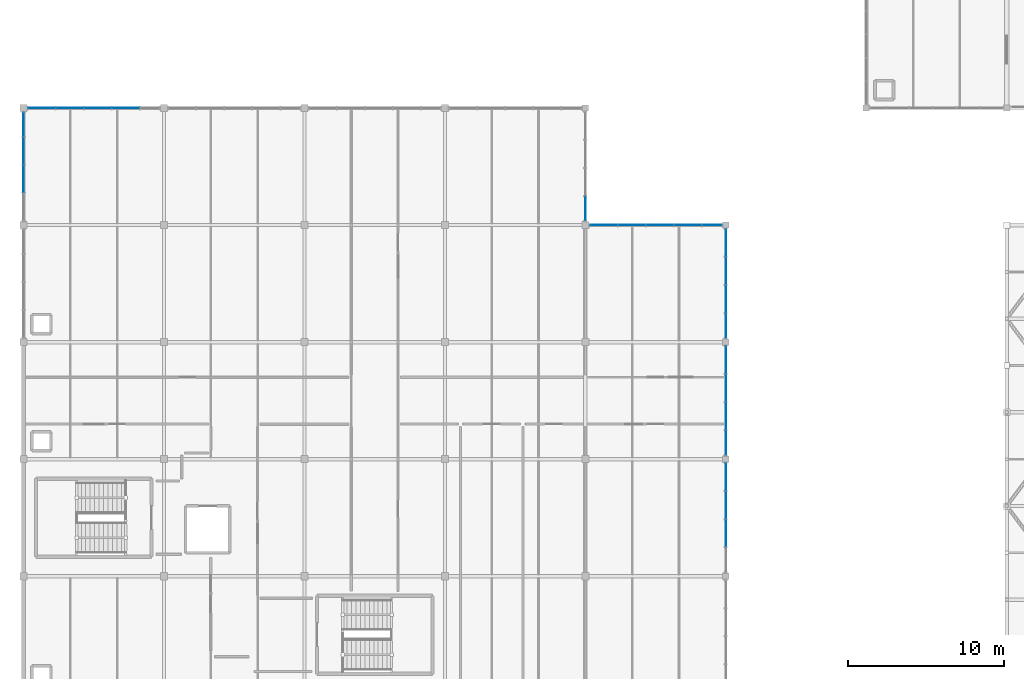
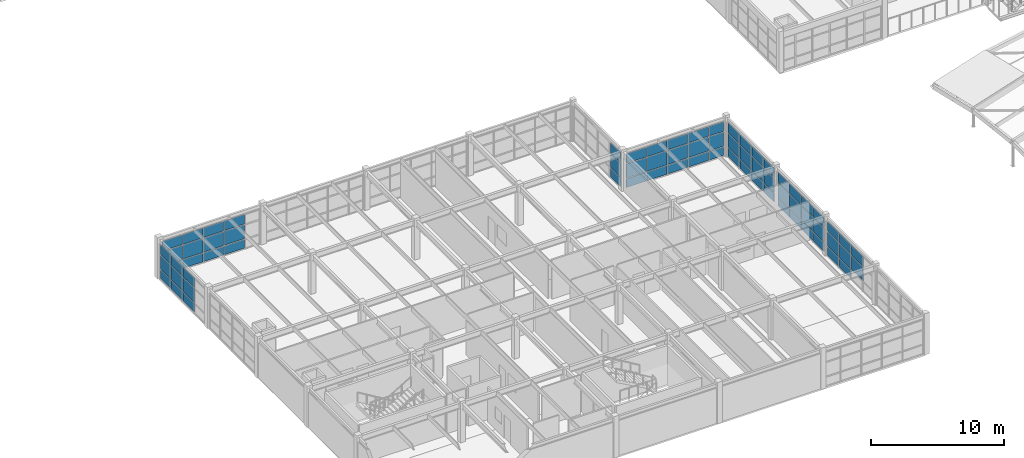
# One storey, part 51 of 81: 71 plates, 7 elements without a shape of their own.
"""IFC4 building model written with IfcOpenShell, lengths in metres."""

from ifc_helpers import new_model, si_unit, direction, frame, origin, origin_2d, place, context, subcontext, project, spatial, rectangle, extrude, material, layer, layer_set, type_object, element, aggregate, save


model = new_model("IFC4")

# Units and contexts
model_context = context("Model", 3, precision=1e-05, world=origin(), true_north=direction((0.0, 1.0)))
body_context = subcontext(model_context, "Body", "Model", "MODEL_VIEW")
ifc_project = project(units=[si_unit("LENGTHUNIT", "METRE"), si_unit("AREAUNIT", "SQUARE_METRE"), si_unit("VOLUMEUNIT", "CUBIC_METRE"), si_unit("PLANEANGLEUNIT", "RADIAN"), si_unit("MASSUNIT", "GRAM", prefix="KILO")], contexts=[model_context])

# Site, building, storey
site_placement = place(None, origin())
site = spatial("IfcSite", under=ifc_project, at=site_placement, CompositionType="ELEMENT")
building_placement = place(site_placement, origin())
building = spatial("IfcBuilding", under=site, at=building_placement, Name="Marnridge Secondary College", CompositionType="ELEMENT")
storey_placement = place(building_placement, frame((0.0, 0.0, 8.5)))
storey = spatial("IfcBuildingStorey", under=building, at=storey_placement, Name="L02", CompositionType="ELEMENT", Elevation=8.5)

# Curtain wall, plates
ifc_material_1 = material(Name="Bronze-anodised aluminium and solar-control glazing", Category="aluminium")
ifc_layer_1 = layer(ifc_material_1, 0.199951171875)
ifc_layer_set_1 = layer_set([ifc_layer_1], Name="CW-MOD-1800")
curtain_wall_type = type_object("IfcCurtainWallType", Name="CW-MOD-1800", PredefinedType="NOTDEFINED", material=ifc_layer_set_1)
curtain_wall_1_placement = place(storey_placement, origin())
curtain_wall_1 = element("IfcCurtainWall", 1, at=curtain_wall_1_placement, inside=storey, type_object=curtain_wall_type, Name="Unitised curtain wall CW-L02-100", PredefinedType="NOTDEFINED")
ifc_material_2 = material(Name="Acoustic laminated solar-control double glazing", Category="glass")
ifc_layer_2 = layer(ifc_material_2, 0.035888671875)
ifc_layer_set_2 = layer_set([ifc_layer_2], Name="CWP-GLZ36")
plate_type = type_object("IfcPlateType", Name="CWP-GLZ36", PredefinedType="CURTAIN_PANEL", material=ifc_layer_set_2)
plate_1_placement = place(storey_placement, frame((1.1640625, 37.5, 0.06494140625), z_axis=(0.0, 0.0, 1.0), x_axis=(1.0, 0.0, 0.0)))
plate_1 = element("IfcPlate", 2, at=plate_1_placement, type_object=plate_type, Name="CW-L02-100 panel 1.1", PredefinedType="CURTAIN_PANEL", context=body_context, shape_type="SweptSolid", body=[
    extrude(rectangle(XDim=1.72998046875, YDim=0.035888671875, at=origin_2d()), origin(), (0.0, 0.0, 1.0), 0.802490234375),
])
plate_2_placement = place(storey_placement, frame((1.1640625, 37.5, 0.9326171875), z_axis=(0.0, 0.0, 1.0), x_axis=(1.0, 0.0, 0.0)))
plate_2 = element("IfcPlate", 3, at=plate_2_placement, type_object=plate_type, Name="CW-L02-100 panel 1.2", PredefinedType="CURTAIN_PANEL", context=body_context, shape_type="SweptSolid", body=[
    extrude(rectangle(XDim=1.72998046875, YDim=0.035888671875, at=origin_2d()), origin(), (0.0, 0.0, 1.0), 1.284912109375),
])
plate_3_placement = place(storey_placement, frame((1.1640625, 37.5, 2.2822265625), z_axis=(0.0, 0.0, 1.0), x_axis=(1.0, 0.0, 0.0)))
plate_3 = element("IfcPlate", 4, at=plate_3_placement, type_object=plate_type, Name="CW-L02-100 panel 1.3", PredefinedType="CURTAIN_PANEL", context=body_context, shape_type="SweptSolid", body=[
    extrude(rectangle(XDim=1.72998046875, YDim=0.035888671875, at=origin_2d()), origin(), (0.0, 0.0, 1.0), 0.882568359375),
])
plate_4_placement = place(storey_placement, frame((2.964111328125, 37.5, 0.06494140625), z_axis=(0.0, 0.0, 1.0), x_axis=(1.0, 0.0, 0.0)))
plate_4 = element("IfcPlate", 5, at=plate_4_placement, type_object=plate_type, Name="CW-L02-100 panel 2.1", PredefinedType="CURTAIN_PANEL", context=body_context, shape_type="SweptSolid", body=[
    extrude(rectangle(XDim=1.72998046875, YDim=0.035888671875, at=origin_2d()), origin(), (0.0, 0.0, 1.0), 0.802490234375),
])
plate_5_placement = place(storey_placement, frame((2.964111328125, 37.5, 0.9326171875), z_axis=(0.0, 0.0, 1.0), x_axis=(1.0, 0.0, 0.0)))
plate_5 = element("IfcPlate", 6, at=plate_5_placement, type_object=plate_type, Name="CW-L02-100 panel 2.2", PredefinedType="CURTAIN_PANEL", context=body_context, shape_type="SweptSolid", body=[
    extrude(rectangle(XDim=1.72998046875, YDim=0.035888671875, at=origin_2d()), origin(), (0.0, 0.0, 1.0), 1.284912109375),
])
plate_6_placement = place(storey_placement, frame((2.964111328125, 37.5, 2.2822265625), z_axis=(0.0, 0.0, 1.0), x_axis=(1.0, 0.0, 0.0)))
plate_6 = element("IfcPlate", 7, at=plate_6_placement, type_object=plate_type, Name="CW-L02-100 panel 2.3", PredefinedType="CURTAIN_PANEL", context=body_context, shape_type="SweptSolid", body=[
    extrude(rectangle(XDim=1.72998046875, YDim=0.035888671875, at=origin_2d()), origin(), (0.0, 0.0, 1.0), 0.882568359375),
])
plate_7_placement = place(storey_placement, frame((4.763916015625, 37.5, 0.06494140625), z_axis=(0.0, 0.0, 1.0), x_axis=(1.0, 0.0, 0.0)))
plate_7 = element("IfcPlate", 8, at=plate_7_placement, type_object=plate_type, Name="CW-L02-100 panel 3.1", PredefinedType="CURTAIN_PANEL", context=body_context, shape_type="SweptSolid", body=[
    extrude(rectangle(XDim=1.72998046875, YDim=0.035888671875, at=origin_2d()), origin(), (0.0, 0.0, 1.0), 0.802490234375),
])
plate_8_placement = place(storey_placement, frame((4.763916015625, 37.5, 0.9326171875), z_axis=(0.0, 0.0, 1.0), x_axis=(1.0, 0.0, 0.0)))
plate_8 = element("IfcPlate", 9, at=plate_8_placement, type_object=plate_type, Name="CW-L02-100 panel 3.2", PredefinedType="CURTAIN_PANEL", context=body_context, shape_type="SweptSolid", body=[
    extrude(rectangle(XDim=1.72998046875, YDim=0.035888671875, at=origin_2d()), origin(), (0.0, 0.0, 1.0), 1.284912109375),
])
plate_9_placement = place(storey_placement, frame((4.763916015625, 37.5, 2.2822265625), z_axis=(0.0, 0.0, 1.0), x_axis=(1.0, 0.0, 0.0)))
plate_9 = element("IfcPlate", 10, at=plate_9_placement, type_object=plate_type, Name="CW-L02-100 panel 3.3", PredefinedType="CURTAIN_PANEL", context=body_context, shape_type="SweptSolid", body=[
    extrude(rectangle(XDim=1.72998046875, YDim=0.035888671875, at=origin_2d()), origin(), (0.0, 0.0, 1.0), 0.882568359375),
])
plate_10_placement = place(storey_placement, frame((6.56396484375, 37.5, 0.06494140625), z_axis=(0.0, 0.0, 1.0), x_axis=(1.0, 0.0, 0.0)))
plate_10 = element("IfcPlate", 11, at=plate_10_placement, type_object=plate_type, Name="CW-L02-100 panel 4.1", PredefinedType="CURTAIN_PANEL", context=body_context, shape_type="SweptSolid", body=[
    extrude(rectangle(XDim=1.72998046875, YDim=0.035888671875, at=origin_2d()), origin(), (0.0, 0.0, 1.0), 0.802490234375),
])
plate_11_placement = place(storey_placement, frame((6.56396484375, 37.5, 0.9326171875), z_axis=(0.0, 0.0, 1.0), x_axis=(1.0, 0.0, 0.0)))
plate_11 = element("IfcPlate", 12, at=plate_11_placement, type_object=plate_type, Name="CW-L02-100 panel 4.2", PredefinedType="CURTAIN_PANEL", context=body_context, shape_type="SweptSolid", body=[
    extrude(rectangle(XDim=1.72998046875, YDim=0.035888671875, at=origin_2d()), origin(), (0.0, 0.0, 1.0), 1.284912109375),
])
plate_12_placement = place(storey_placement, frame((6.56396484375, 37.5, 2.2822265625), z_axis=(0.0, 0.0, 1.0), x_axis=(1.0, 0.0, 0.0)))
plate_12 = element("IfcPlate", 13, at=plate_12_placement, type_object=plate_type, Name="CW-L02-100 panel 4.3", PredefinedType="CURTAIN_PANEL", context=body_context, shape_type="SweptSolid", body=[
    extrude(rectangle(XDim=1.72998046875, YDim=0.035888671875, at=origin_2d()), origin(), (0.0, 0.0, 1.0), 0.882568359375),
])
aggregate(curtain_wall_1, [plate_1, plate_2, plate_3, plate_4, plate_5, plate_6, plate_7, plate_8, plate_9, plate_10, plate_11, plate_12])

curtain_wall_2_placement = place(storey_placement, origin())
curtain_wall_2 = element("IfcCurtainWall", 14, at=curtain_wall_2_placement, inside=storey, type_object=curtain_wall_type, Name="Unitised curtain wall CW-L02-104", PredefinedType="NOTDEFINED")
plate_13_placement = place(storey_placement, frame((36.0, 31.0625, 0.06494140625), z_axis=(0.0, 0.0, 1.0), x_axis=(0.0, -1.0, 0.0)))
plate_13 = element("IfcPlate", 15, at=plate_13_placement, type_object=plate_type, Name="CW-L02-104 panel 4.1", PredefinedType="CURTAIN_PANEL", context=body_context, shape_type="SweptSolid", body=[
    extrude(rectangle(XDim=1.527099609375, YDim=0.035888671875, at=origin_2d()), origin(), (0.0, 0.0, 1.0), 0.802490234375),
])
plate_14_placement = place(storey_placement, frame((36.0, 31.0625, 0.9326171875), z_axis=(0.0, 0.0, 1.0), x_axis=(0.0, -1.0, 0.0)))
plate_14 = element("IfcPlate", 16, at=plate_14_placement, type_object=plate_type, Name="CW-L02-104 panel 4.2", PredefinedType="CURTAIN_PANEL", context=body_context, shape_type="SweptSolid", body=[
    extrude(rectangle(XDim=1.527099609375, YDim=0.035888671875, at=origin_2d()), origin(), (0.0, 0.0, 1.0), 1.284912109375),
])
plate_15_placement = place(storey_placement, frame((36.0, 31.0625, 2.282470703125), z_axis=(0.0, 0.0, 1.0), x_axis=(0.0, -1.0, 0.0)))
plate_15 = element("IfcPlate", 17, at=plate_15_placement, type_object=plate_type, Name="CW-L02-104 panel 4.3", PredefinedType="CURTAIN_PANEL", context=body_context, shape_type="SweptSolid", body=[
    extrude(rectangle(XDim=1.527099609375, YDim=0.035888671875, at=origin_2d()), origin(), (0.0, 0.0, 1.0), 0.9326171875),
])
aggregate(curtain_wall_2, [plate_13, plate_14, plate_15])

curtain_wall_3_placement = place(storey_placement, origin())
curtain_wall_3 = element("IfcCurtainWall", 18, at=curtain_wall_3_placement, inside=storey, type_object=curtain_wall_type, Name="Unitised curtain wall CW-L02-105", PredefinedType="NOTDEFINED")
plate_16_placement = place(storey_placement, frame((37.1640625, 30.0, 0.06494140625), z_axis=(0.0, 0.0, 1.0), x_axis=(1.0, 0.0, 0.0)))
plate_16 = element("IfcPlate", 19, at=plate_16_placement, type_object=plate_type, Name="CW-L02-105 panel 1.1", PredefinedType="CURTAIN_PANEL", context=body_context, shape_type="SweptSolid", body=[
    extrude(rectangle(XDim=1.72998046875, YDim=0.035888671875, at=origin_2d()), origin(), (0.0, 0.0, 1.0), 0.802490234375),
])
plate_17_placement = place(storey_placement, frame((37.1640625, 30.0, 0.9326171875), z_axis=(0.0, 0.0, 1.0), x_axis=(1.0, 0.0, 0.0)))
plate_17 = element("IfcPlate", 20, at=plate_17_placement, type_object=plate_type, Name="CW-L02-105 panel 1.2", PredefinedType="CURTAIN_PANEL", context=body_context, shape_type="SweptSolid", body=[
    extrude(rectangle(XDim=1.72998046875, YDim=0.035888671875, at=origin_2d()), origin(), (0.0, 0.0, 1.0), 1.284912109375),
])
plate_18_placement = place(storey_placement, frame((37.1640625, 30.0, 2.2822265625), z_axis=(0.0, 0.0, 1.0), x_axis=(1.0, 0.0, 0.0)))
plate_18 = element("IfcPlate", 21, at=plate_18_placement, type_object=plate_type, Name="CW-L02-105 panel 1.3", PredefinedType="CURTAIN_PANEL", context=body_context, shape_type="SweptSolid", body=[
    extrude(rectangle(XDim=1.72998046875, YDim=0.035888671875, at=origin_2d()), origin(), (0.0, 0.0, 1.0), 0.882568359375),
])
plate_19_placement = place(storey_placement, frame((38.964111328125, 30.0, 0.06494140625), z_axis=(0.0, 0.0, 1.0), x_axis=(1.0, 0.0, 0.0)))
plate_19 = element("IfcPlate", 22, at=plate_19_placement, type_object=plate_type, Name="CW-L02-105 panel 2.1", PredefinedType="CURTAIN_PANEL", context=body_context, shape_type="SweptSolid", body=[
    extrude(rectangle(XDim=1.72998046875, YDim=0.035888671875, at=origin_2d()), origin(), (0.0, 0.0, 1.0), 0.802490234375),
])
plate_20_placement = place(storey_placement, frame((38.964111328125, 30.0, 0.9326171875), z_axis=(0.0, 0.0, 1.0), x_axis=(1.0, 0.0, 0.0)))
plate_20 = element("IfcPlate", 23, at=plate_20_placement, type_object=plate_type, Name="CW-L02-105 panel 2.2", PredefinedType="CURTAIN_PANEL", context=body_context, shape_type="SweptSolid", body=[
    extrude(rectangle(XDim=1.72998046875, YDim=0.035888671875, at=origin_2d()), origin(), (0.0, 0.0, 1.0), 1.284912109375),
])
plate_21_placement = place(storey_placement, frame((38.964111328125, 30.0, 2.2822265625), z_axis=(0.0, 0.0, 1.0), x_axis=(1.0, 0.0, 0.0)))
plate_21 = element("IfcPlate", 24, at=plate_21_placement, type_object=plate_type, Name="CW-L02-105 panel 2.3", PredefinedType="CURTAIN_PANEL", context=body_context, shape_type="SweptSolid", body=[
    extrude(rectangle(XDim=1.72998046875, YDim=0.035888671875, at=origin_2d()), origin(), (0.0, 0.0, 1.0), 0.882568359375),
])
plate_22_placement = place(storey_placement, frame((40.763916015625, 30.0, 0.06494140625), z_axis=(0.0, 0.0, 1.0), x_axis=(1.0, 0.0, 0.0)))
plate_22 = element("IfcPlate", 25, at=plate_22_placement, type_object=plate_type, Name="CW-L02-105 panel 3.1", PredefinedType="CURTAIN_PANEL", context=body_context, shape_type="SweptSolid", body=[
    extrude(rectangle(XDim=1.72998046875, YDim=0.035888671875, at=origin_2d()), origin(), (0.0, 0.0, 1.0), 0.802490234375),
])
plate_23_placement = place(storey_placement, frame((40.763916015625, 30.0, 0.9326171875), z_axis=(0.0, 0.0, 1.0), x_axis=(1.0, 0.0, 0.0)))
plate_23 = element("IfcPlate", 26, at=plate_23_placement, type_object=plate_type, Name="CW-L02-105 panel 3.2", PredefinedType="CURTAIN_PANEL", context=body_context, shape_type="SweptSolid", body=[
    extrude(rectangle(XDim=1.72998046875, YDim=0.035888671875, at=origin_2d()), origin(), (0.0, 0.0, 1.0), 1.284912109375),
])
plate_24_placement = place(storey_placement, frame((40.763916015625, 30.0, 2.2822265625), z_axis=(0.0, 0.0, 1.0), x_axis=(1.0, 0.0, 0.0)))
plate_24 = element("IfcPlate", 27, at=plate_24_placement, type_object=plate_type, Name="CW-L02-105 panel 3.3", PredefinedType="CURTAIN_PANEL", context=body_context, shape_type="SweptSolid", body=[
    extrude(rectangle(XDim=1.72998046875, YDim=0.035888671875, at=origin_2d()), origin(), (0.0, 0.0, 1.0), 0.882568359375),
])
plate_25_placement = place(storey_placement, frame((42.56396484375, 30.0, 0.06494140625), z_axis=(0.0, 0.0, 1.0), x_axis=(1.0, 0.0, 0.0)))
plate_25 = element("IfcPlate", 28, at=plate_25_placement, type_object=plate_type, Name="CW-L02-105 panel 4.1", PredefinedType="CURTAIN_PANEL", context=body_context, shape_type="SweptSolid", body=[
    extrude(rectangle(XDim=1.72998046875, YDim=0.035888671875, at=origin_2d()), origin(), (0.0, 0.0, 1.0), 0.802490234375),
])
plate_26_placement = place(storey_placement, frame((42.56396484375, 30.0, 0.9326171875), z_axis=(0.0, 0.0, 1.0), x_axis=(1.0, 0.0, 0.0)))
plate_26 = element("IfcPlate", 29, at=plate_26_placement, type_object=plate_type, Name="CW-L02-105 panel 4.2", PredefinedType="CURTAIN_PANEL", context=body_context, shape_type="SweptSolid", body=[
    extrude(rectangle(XDim=1.72998046875, YDim=0.035888671875, at=origin_2d()), origin(), (0.0, 0.0, 1.0), 1.284912109375),
])
plate_27_placement = place(storey_placement, frame((42.56396484375, 30.0, 2.2822265625), z_axis=(0.0, 0.0, 1.0), x_axis=(1.0, 0.0, 0.0)))
plate_27 = element("IfcPlate", 30, at=plate_27_placement, type_object=plate_type, Name="CW-L02-105 panel 4.3", PredefinedType="CURTAIN_PANEL", context=body_context, shape_type="SweptSolid", body=[
    extrude(rectangle(XDim=1.72998046875, YDim=0.035888671875, at=origin_2d()), origin(), (0.0, 0.0, 1.0), 0.882568359375),
])
plate_28_placement = place(storey_placement, frame((44.112548828125, 30.0, 0.06494140625), z_axis=(0.0, 0.0, 1.0), x_axis=(1.0, 0.0, 0.0)))
plate_28 = element("IfcPlate", 31, at=plate_28_placement, type_object=plate_type, Name="CW-L02-105 panel 5.1", PredefinedType="CURTAIN_PANEL", context=body_context, shape_type="SweptSolid", body=[
    extrude(rectangle(XDim=1.22705078125, YDim=0.035888671875, at=origin_2d()), origin(), (0.0, 0.0, 1.0), 0.802490234375),
])
plate_29_placement = place(storey_placement, frame((44.112548828125, 30.0, 0.9326171875), z_axis=(0.0, 0.0, 1.0), x_axis=(1.0, 0.0, 0.0)))
plate_29 = element("IfcPlate", 32, at=plate_29_placement, type_object=plate_type, Name="CW-L02-105 panel 5.2", PredefinedType="CURTAIN_PANEL", context=body_context, shape_type="SweptSolid", body=[
    extrude(rectangle(XDim=1.22705078125, YDim=0.035888671875, at=origin_2d()), origin(), (0.0, 0.0, 1.0), 1.284912109375),
])
plate_30_placement = place(storey_placement, frame((44.112548828125, 30.0, 2.2822265625), z_axis=(0.0, 0.0, 1.0), x_axis=(1.0, 0.0, 0.0)))
plate_30 = element("IfcPlate", 33, at=plate_30_placement, type_object=plate_type, Name="CW-L02-105 panel 5.3", PredefinedType="CURTAIN_PANEL", context=body_context, shape_type="SweptSolid", body=[
    extrude(rectangle(XDim=1.22705078125, YDim=0.035888671875, at=origin_2d()), origin(), (0.0, 0.0, 1.0), 0.882568359375),
])
aggregate(curtain_wall_3, [plate_16, plate_17, plate_18, plate_19, plate_20, plate_21, plate_22, plate_23, plate_24, plate_25, plate_26, plate_27, plate_28, plate_29, plate_30])

curtain_wall_4_placement = place(storey_placement, origin())
curtain_wall_4 = element("IfcCurtainWall", 34, at=curtain_wall_4_placement, inside=storey, type_object=curtain_wall_type, Name="Unitised curtain wall CW-L02-106", PredefinedType="NOTDEFINED")
plate_31_placement = place(storey_placement, frame((45.0, 28.861083984375, 0.06494140625), z_axis=(0.0, 0.0, 1.0), x_axis=(0.0, -1.0, 0.0)))
plate_31 = element("IfcPlate", 35, at=plate_31_placement, type_object=plate_type, Name="CW-L02-106 panel 1.1", PredefinedType="CURTAIN_PANEL", context=body_context, shape_type="SweptSolid", body=[
    extrude(rectangle(XDim=1.72998046875, YDim=0.035888671875, at=origin_2d()), origin(), (0.0, 0.0, 1.0), 0.802490234375),
])
plate_32_placement = place(storey_placement, frame((45.0, 28.861083984375, 0.9326171875), z_axis=(0.0, 0.0, 1.0), x_axis=(0.0, -1.0, 0.0)))
plate_32 = element("IfcPlate", 36, at=plate_32_placement, type_object=plate_type, Name="CW-L02-106 panel 1.2", PredefinedType="CURTAIN_PANEL", context=body_context, shape_type="SweptSolid", body=[
    extrude(rectangle(XDim=1.72998046875, YDim=0.035888671875, at=origin_2d()), origin(), (0.0, 0.0, 1.0), 1.284912109375),
])
plate_33_placement = place(storey_placement, frame((45.0, 28.861083984375, 2.2822265625), z_axis=(0.0, 0.0, 1.0), x_axis=(0.0, -1.0, 0.0)))
plate_33 = element("IfcPlate", 37, at=plate_33_placement, type_object=plate_type, Name="CW-L02-106 panel 1.3", PredefinedType="CURTAIN_PANEL", context=body_context, shape_type="SweptSolid", body=[
    extrude(rectangle(XDim=1.72998046875, YDim=0.035888671875, at=origin_2d()), origin(), (0.0, 0.0, 1.0), 0.882568359375),
])
plate_34_placement = place(storey_placement, frame((45.0, 27.06103515625, 0.06494140625), z_axis=(0.0, 0.0, 1.0), x_axis=(0.0, -1.0, 0.0)))
plate_34 = element("IfcPlate", 38, at=plate_34_placement, type_object=plate_type, Name="CW-L02-106 panel 2.1", PredefinedType="CURTAIN_PANEL", context=body_context, shape_type="SweptSolid", body=[
    extrude(rectangle(XDim=1.72998046875, YDim=0.035888671875, at=origin_2d()), origin(), (0.0, 0.0, 1.0), 0.802490234375),
])
plate_35_placement = place(storey_placement, frame((45.0, 27.06103515625, 0.9326171875), z_axis=(0.0, 0.0, 1.0), x_axis=(0.0, -1.0, 0.0)))
plate_35 = element("IfcPlate", 39, at=plate_35_placement, type_object=plate_type, Name="CW-L02-106 panel 2.2", PredefinedType="CURTAIN_PANEL", context=body_context, shape_type="SweptSolid", body=[
    extrude(rectangle(XDim=1.72998046875, YDim=0.035888671875, at=origin_2d()), origin(), (0.0, 0.0, 1.0), 1.284912109375),
])
plate_36_placement = place(storey_placement, frame((45.0, 27.06103515625, 2.2822265625), z_axis=(0.0, 0.0, 1.0), x_axis=(0.0, -1.0, 0.0)))
plate_36 = element("IfcPlate", 40, at=plate_36_placement, type_object=plate_type, Name="CW-L02-106 panel 2.3", PredefinedType="CURTAIN_PANEL", context=body_context, shape_type="SweptSolid", body=[
    extrude(rectangle(XDim=1.72998046875, YDim=0.035888671875, at=origin_2d()), origin(), (0.0, 0.0, 1.0), 0.882568359375),
])
plate_37_placement = place(storey_placement, frame((45.0, 25.260986328125, 0.06494140625), z_axis=(0.0, 0.0, 1.0), x_axis=(0.0, -1.0, 0.0)))
plate_37 = element("IfcPlate", 41, at=plate_37_placement, type_object=plate_type, Name="CW-L02-106 panel 3.1", PredefinedType="CURTAIN_PANEL", context=body_context, shape_type="SweptSolid", body=[
    extrude(rectangle(XDim=1.72998046875, YDim=0.035888671875, at=origin_2d()), origin(), (0.0, 0.0, 1.0), 0.802490234375),
])
plate_38_placement = place(storey_placement, frame((45.0, 25.260986328125, 0.9326171875), z_axis=(0.0, 0.0, 1.0), x_axis=(0.0, -1.0, 0.0)))
plate_38 = element("IfcPlate", 42, at=plate_38_placement, type_object=plate_type, Name="CW-L02-106 panel 3.2", PredefinedType="CURTAIN_PANEL", context=body_context, shape_type="SweptSolid", body=[
    extrude(rectangle(XDim=1.72998046875, YDim=0.035888671875, at=origin_2d()), origin(), (0.0, 0.0, 1.0), 1.284912109375),
])
plate_39_placement = place(storey_placement, frame((45.0, 25.260986328125, 2.2822265625), z_axis=(0.0, 0.0, 1.0), x_axis=(0.0, -1.0, 0.0)))
plate_39 = element("IfcPlate", 43, at=plate_39_placement, type_object=plate_type, Name="CW-L02-106 panel 3.3", PredefinedType="CURTAIN_PANEL", context=body_context, shape_type="SweptSolid", body=[
    extrude(rectangle(XDim=1.72998046875, YDim=0.035888671875, at=origin_2d()), origin(), (0.0, 0.0, 1.0), 0.882568359375),
])
plate_40_placement = place(storey_placement, frame((45.0, 23.550048828125, 0.06494140625), z_axis=(0.0, 0.0, 1.0), x_axis=(0.0, -1.0, 0.0)))
plate_40 = element("IfcPlate", 44, at=plate_40_placement, type_object=plate_type, Name="CW-L02-106 panel 4.1", PredefinedType="CURTAIN_PANEL", context=body_context, shape_type="SweptSolid", body=[
    extrude(rectangle(XDim=1.552001953125, YDim=0.035888671875, at=origin_2d()), origin(), (0.0, 0.0, 1.0), 0.802490234375),
])
plate_41_placement = place(storey_placement, frame((45.0, 23.550048828125, 0.9326171875), z_axis=(0.0, 0.0, 1.0), x_axis=(0.0, -1.0, 0.0)))
plate_41 = element("IfcPlate", 45, at=plate_41_placement, type_object=plate_type, Name="CW-L02-106 panel 4.2", PredefinedType="CURTAIN_PANEL", context=body_context, shape_type="SweptSolid", body=[
    extrude(rectangle(XDim=1.552001953125, YDim=0.035888671875, at=origin_2d()), origin(), (0.0, 0.0, 1.0), 1.284912109375),
])
plate_42_placement = place(storey_placement, frame((45.0, 23.550048828125, 2.2822265625), z_axis=(0.0, 0.0, 1.0), x_axis=(0.0, -1.0, 0.0)))
plate_42 = element("IfcPlate", 46, at=plate_42_placement, type_object=plate_type, Name="CW-L02-106 panel 4.3", PredefinedType="CURTAIN_PANEL", context=body_context, shape_type="SweptSolid", body=[
    extrude(rectangle(XDim=1.552001953125, YDim=0.035888671875, at=origin_2d()), origin(), (0.0, 0.0, 1.0), 0.882568359375),
])
aggregate(curtain_wall_4, [plate_31, plate_32, plate_33, plate_34, plate_35, plate_36, plate_37, plate_38, plate_39, plate_40, plate_41, plate_42])

curtain_wall_5_placement = place(storey_placement, origin())
curtain_wall_5 = element("IfcCurtainWall", 47, at=curtain_wall_5_placement, inside=storey, type_object=curtain_wall_type, Name="Unitised curtain wall CW-L02-107", PredefinedType="NOTDEFINED")
plate_43_placement = place(storey_placement, frame((45.0, 21.361083984375, 0.06494140625), z_axis=(0.0, 0.0, 1.0), x_axis=(0.0, -1.0, 0.0)))
plate_43 = element("IfcPlate", 48, at=plate_43_placement, type_object=plate_type, Name="CW-L02-107 panel 1.1", PredefinedType="CURTAIN_PANEL", context=body_context, shape_type="SweptSolid", body=[
    extrude(rectangle(XDim=1.72998046875, YDim=0.035888671875, at=origin_2d()), origin(), (0.0, 0.0, 1.0), 0.802490234375),
])
plate_44_placement = place(storey_placement, frame((45.0, 21.361083984375, 0.9326171875), z_axis=(0.0, 0.0, 1.0), x_axis=(0.0, -1.0, 0.0)))
plate_44 = element("IfcPlate", 49, at=plate_44_placement, type_object=plate_type, Name="CW-L02-107 panel 1.2", PredefinedType="CURTAIN_PANEL", context=body_context, shape_type="SweptSolid", body=[
    extrude(rectangle(XDim=1.72998046875, YDim=0.035888671875, at=origin_2d()), origin(), (0.0, 0.0, 1.0), 1.284912109375),
])
plate_45_placement = place(storey_placement, frame((45.0, 21.361083984375, 2.2822265625), z_axis=(0.0, 0.0, 1.0), x_axis=(0.0, -1.0, 0.0)))
plate_45 = element("IfcPlate", 50, at=plate_45_placement, type_object=plate_type, Name="CW-L02-107 panel 1.3", PredefinedType="CURTAIN_PANEL", context=body_context, shape_type="SweptSolid", body=[
    extrude(rectangle(XDim=1.72998046875, YDim=0.035888671875, at=origin_2d()), origin(), (0.0, 0.0, 1.0), 0.882568359375),
])
plate_46_placement = place(storey_placement, frame((45.0, 19.56103515625, 0.06494140625), z_axis=(0.0, 0.0, 1.0), x_axis=(0.0, -1.0, 0.0)))
plate_46 = element("IfcPlate", 51, at=plate_46_placement, type_object=plate_type, Name="CW-L02-107 panel 2.1", PredefinedType="CURTAIN_PANEL", context=body_context, shape_type="SweptSolid", body=[
    extrude(rectangle(XDim=1.72998046875, YDim=0.035888671875, at=origin_2d()), origin(), (0.0, 0.0, 1.0), 0.802490234375),
])
plate_47_placement = place(storey_placement, frame((45.0, 19.56103515625, 0.9326171875), z_axis=(0.0, 0.0, 1.0), x_axis=(0.0, -1.0, 0.0)))
plate_47 = element("IfcPlate", 52, at=plate_47_placement, type_object=plate_type, Name="CW-L02-107 panel 2.2", PredefinedType="CURTAIN_PANEL", context=body_context, shape_type="SweptSolid", body=[
    extrude(rectangle(XDim=1.72998046875, YDim=0.035888671875, at=origin_2d()), origin(), (0.0, 0.0, 1.0), 1.284912109375),
])
plate_48_placement = place(storey_placement, frame((45.0, 19.56103515625, 2.2822265625), z_axis=(0.0, 0.0, 1.0), x_axis=(0.0, -1.0, 0.0)))
plate_48 = element("IfcPlate", 53, at=plate_48_placement, type_object=plate_type, Name="CW-L02-107 panel 2.3", PredefinedType="CURTAIN_PANEL", context=body_context, shape_type="SweptSolid", body=[
    extrude(rectangle(XDim=1.72998046875, YDim=0.035888671875, at=origin_2d()), origin(), (0.0, 0.0, 1.0), 0.882568359375),
])
plate_49_placement = place(storey_placement, frame((45.0, 17.760986328125, 0.06494140625), z_axis=(0.0, 0.0, 1.0), x_axis=(0.0, -1.0, 0.0)))
plate_49 = element("IfcPlate", 54, at=plate_49_placement, type_object=plate_type, Name="CW-L02-107 panel 3.1", PredefinedType="CURTAIN_PANEL", context=body_context, shape_type="SweptSolid", body=[
    extrude(rectangle(XDim=1.72998046875, YDim=0.035888671875, at=origin_2d()), origin(), (0.0, 0.0, 1.0), 0.802490234375),
])
plate_50_placement = place(storey_placement, frame((45.0, 17.760986328125, 0.9326171875), z_axis=(0.0, 0.0, 1.0), x_axis=(0.0, -1.0, 0.0)))
plate_50 = element("IfcPlate", 55, at=plate_50_placement, type_object=plate_type, Name="CW-L02-107 panel 3.2", PredefinedType="CURTAIN_PANEL", context=body_context, shape_type="SweptSolid", body=[
    extrude(rectangle(XDim=1.72998046875, YDim=0.035888671875, at=origin_2d()), origin(), (0.0, 0.0, 1.0), 1.284912109375),
])
plate_51_placement = place(storey_placement, frame((45.0, 17.760986328125, 2.2822265625), z_axis=(0.0, 0.0, 1.0), x_axis=(0.0, -1.0, 0.0)))
plate_51 = element("IfcPlate", 56, at=plate_51_placement, type_object=plate_type, Name="CW-L02-107 panel 3.3", PredefinedType="CURTAIN_PANEL", context=body_context, shape_type="SweptSolid", body=[
    extrude(rectangle(XDim=1.72998046875, YDim=0.035888671875, at=origin_2d()), origin(), (0.0, 0.0, 1.0), 0.882568359375),
])
plate_52_placement = place(storey_placement, frame((45.0, 16.050048828125, 0.06494140625), z_axis=(0.0, 0.0, 1.0), x_axis=(0.0, -1.0, 0.0)))
plate_52 = element("IfcPlate", 57, at=plate_52_placement, type_object=plate_type, Name="CW-L02-107 panel 4.1", PredefinedType="CURTAIN_PANEL", context=body_context, shape_type="SweptSolid", body=[
    extrude(rectangle(XDim=1.552001953125, YDim=0.035888671875, at=origin_2d()), origin(), (0.0, 0.0, 1.0), 0.802490234375),
])
plate_53_placement = place(storey_placement, frame((45.0, 16.050048828125, 0.9326171875), z_axis=(0.0, 0.0, 1.0), x_axis=(0.0, -1.0, 0.0)))
plate_53 = element("IfcPlate", 58, at=plate_53_placement, type_object=plate_type, Name="CW-L02-107 panel 4.2", PredefinedType="CURTAIN_PANEL", context=body_context, shape_type="SweptSolid", body=[
    extrude(rectangle(XDim=1.552001953125, YDim=0.035888671875, at=origin_2d()), origin(), (0.0, 0.0, 1.0), 1.284912109375),
])
plate_54_placement = place(storey_placement, frame((45.0, 16.050048828125, 2.2822265625), z_axis=(0.0, 0.0, 1.0), x_axis=(0.0, -1.0, 0.0)))
plate_54 = element("IfcPlate", 59, at=plate_54_placement, type_object=plate_type, Name="CW-L02-107 panel 4.3", PredefinedType="CURTAIN_PANEL", context=body_context, shape_type="SweptSolid", body=[
    extrude(rectangle(XDim=1.552001953125, YDim=0.035888671875, at=origin_2d()), origin(), (0.0, 0.0, 1.0), 0.882568359375),
])
aggregate(curtain_wall_5, [plate_43, plate_44, plate_45, plate_46, plate_47, plate_48, plate_49, plate_50, plate_51, plate_52, plate_53, plate_54])

curtain_wall_6_placement = place(storey_placement, origin())
curtain_wall_6 = element("IfcCurtainWall", 60, at=curtain_wall_6_placement, inside=storey, type_object=curtain_wall_type, Name="Unitised curtain wall CW-L02-108", PredefinedType="NOTDEFINED")
plate_55_placement = place(storey_placement, frame((45.0, 13.861083984375, 0.06494140625), z_axis=(0.0, 0.0, 1.0), x_axis=(0.0, -1.0, 0.0)))
plate_55 = element("IfcPlate", 61, at=plate_55_placement, type_object=plate_type, Name="CW-L02-108 panel 1.1", PredefinedType="CURTAIN_PANEL", context=body_context, shape_type="SweptSolid", body=[
    extrude(rectangle(XDim=1.72998046875, YDim=0.035888671875, at=origin_2d()), origin(), (0.0, 0.0, 1.0), 0.802490234375),
])
plate_56_placement = place(storey_placement, frame((45.0, 13.861083984375, 0.9326171875), z_axis=(0.0, 0.0, 1.0), x_axis=(0.0, -1.0, 0.0)))
plate_56 = element("IfcPlate", 62, at=plate_56_placement, type_object=plate_type, Name="CW-L02-108 panel 1.2", PredefinedType="CURTAIN_PANEL", context=body_context, shape_type="SweptSolid", body=[
    extrude(rectangle(XDim=1.72998046875, YDim=0.035888671875, at=origin_2d()), origin(), (0.0, 0.0, 1.0), 1.284912109375),
])
plate_57_placement = place(storey_placement, frame((45.0, 13.861083984375, 2.2822265625), z_axis=(0.0, 0.0, 1.0), x_axis=(0.0, -1.0, 0.0)))
plate_57 = element("IfcPlate", 63, at=plate_57_placement, type_object=plate_type, Name="CW-L02-108 panel 1.3", PredefinedType="CURTAIN_PANEL", context=body_context, shape_type="SweptSolid", body=[
    extrude(rectangle(XDim=1.72998046875, YDim=0.035888671875, at=origin_2d()), origin(), (0.0, 0.0, 1.0), 0.882568359375),
])
plate_58_placement = place(storey_placement, frame((45.0, 12.06103515625, 0.06494140625), z_axis=(0.0, 0.0, 1.0), x_axis=(0.0, -1.0, 0.0)))
plate_58 = element("IfcPlate", 64, at=plate_58_placement, type_object=plate_type, Name="CW-L02-108 panel 2.1", PredefinedType="CURTAIN_PANEL", context=body_context, shape_type="SweptSolid", body=[
    extrude(rectangle(XDim=1.72998046875, YDim=0.035888671875, at=origin_2d()), origin(), (0.0, 0.0, 1.0), 0.802490234375),
])
plate_59_placement = place(storey_placement, frame((45.0, 12.06103515625, 0.9326171875), z_axis=(0.0, 0.0, 1.0), x_axis=(0.0, -1.0, 0.0)))
plate_59 = element("IfcPlate", 65, at=plate_59_placement, type_object=plate_type, Name="CW-L02-108 panel 2.2", PredefinedType="CURTAIN_PANEL", context=body_context, shape_type="SweptSolid", body=[
    extrude(rectangle(XDim=1.72998046875, YDim=0.035888671875, at=origin_2d()), origin(), (0.0, 0.0, 1.0), 1.284912109375),
])
plate_60_placement = place(storey_placement, frame((45.0, 12.06103515625, 2.2822265625), z_axis=(0.0, 0.0, 1.0), x_axis=(0.0, -1.0, 0.0)))
plate_60 = element("IfcPlate", 66, at=plate_60_placement, type_object=plate_type, Name="CW-L02-108 panel 2.3", PredefinedType="CURTAIN_PANEL", context=body_context, shape_type="SweptSolid", body=[
    extrude(rectangle(XDim=1.72998046875, YDim=0.035888671875, at=origin_2d()), origin(), (0.0, 0.0, 1.0), 0.882568359375),
])
plate_61_placement = place(storey_placement, frame((45.0, 10.260986328125, 0.9326171875), z_axis=(0.0, 0.0, 1.0), x_axis=(0.0, -1.0, 0.0)))
plate_61 = element("IfcPlate", 67, at=plate_61_placement, type_object=plate_type, Name="CW-L02-108 panel 3.2", PredefinedType="CURTAIN_PANEL", context=body_context, shape_type="SweptSolid", body=[
    extrude(rectangle(XDim=1.72998046875, YDim=0.035888671875, at=origin_2d()), origin(), (0.0, 0.0, 1.0), 1.284912109375),
])
plate_62_placement = place(storey_placement, frame((45.0, 10.260986328125, 2.2822265625), z_axis=(0.0, 0.0, 1.0), x_axis=(0.0, -1.0, 0.0)))
plate_62 = element("IfcPlate", 68, at=plate_62_placement, type_object=plate_type, Name="CW-L02-108 panel 3.3", PredefinedType="CURTAIN_PANEL", context=body_context, shape_type="SweptSolid", body=[
    extrude(rectangle(XDim=1.72998046875, YDim=0.035888671875, at=origin_2d()), origin(), (0.0, 0.0, 1.0), 0.882568359375),
])
aggregate(curtain_wall_6, [plate_55, plate_56, plate_57, plate_58, plate_59, plate_60, plate_61, plate_62])

curtain_wall_7_placement = place(storey_placement, origin())
curtain_wall_7 = element("IfcCurtainWall", 69, at=curtain_wall_7_placement, inside=storey, type_object=curtain_wall_type, Name="Unitised curtain wall CW-L02-113", PredefinedType="NOTDEFINED")
plate_63_placement = place(storey_placement, frame((0.0, 32.964111328125, 0.06494140625), z_axis=(0.0, 0.0, 1.0), x_axis=(0.0, 1.0, 0.0)))
plate_63 = element("IfcPlate", 70, at=plate_63_placement, type_object=plate_type, Name="CW-L02-113 panel 2.1", PredefinedType="CURTAIN_PANEL", context=body_context, shape_type="SweptSolid", body=[
    extrude(rectangle(XDim=1.72998046875, YDim=0.035888671875, at=origin_2d()), origin(), (0.0, 0.0, 1.0), 0.802490234375),
])
plate_64_placement = place(storey_placement, frame((0.0, 32.964111328125, 0.9326171875), z_axis=(0.0, 0.0, 1.0), x_axis=(0.0, 1.0, 0.0)))
plate_64 = element("IfcPlate", 71, at=plate_64_placement, type_object=plate_type, Name="CW-L02-113 panel 2.2", PredefinedType="CURTAIN_PANEL", context=body_context, shape_type="SweptSolid", body=[
    extrude(rectangle(XDim=1.72998046875, YDim=0.035888671875, at=origin_2d()), origin(), (0.0, 0.0, 1.0), 1.284912109375),
])
plate_65_placement = place(storey_placement, frame((0.0, 32.964111328125, 2.2822265625), z_axis=(0.0, 0.0, 1.0), x_axis=(0.0, 1.0, 0.0)))
plate_65 = element("IfcPlate", 72, at=plate_65_placement, type_object=plate_type, Name="CW-L02-113 panel 2.3", PredefinedType="CURTAIN_PANEL", context=body_context, shape_type="SweptSolid", body=[
    extrude(rectangle(XDim=1.72998046875, YDim=0.035888671875, at=origin_2d()), origin(), (0.0, 0.0, 1.0), 0.882568359375),
])
plate_66_placement = place(storey_placement, frame((0.0, 34.763916015625, 0.06494140625), z_axis=(0.0, 0.0, 1.0), x_axis=(0.0, 1.0, 0.0)))
plate_66 = element("IfcPlate", 73, at=plate_66_placement, type_object=plate_type, Name="CW-L02-113 panel 3.1", PredefinedType="CURTAIN_PANEL", context=body_context, shape_type="SweptSolid", body=[
    extrude(rectangle(XDim=1.72998046875, YDim=0.035888671875, at=origin_2d()), origin(), (0.0, 0.0, 1.0), 0.802490234375),
])
plate_67_placement = place(storey_placement, frame((0.0, 34.763916015625, 0.9326171875), z_axis=(0.0, 0.0, 1.0), x_axis=(0.0, 1.0, 0.0)))
plate_67 = element("IfcPlate", 74, at=plate_67_placement, type_object=plate_type, Name="CW-L02-113 panel 3.2", PredefinedType="CURTAIN_PANEL", context=body_context, shape_type="SweptSolid", body=[
    extrude(rectangle(XDim=1.72998046875, YDim=0.035888671875, at=origin_2d()), origin(), (0.0, 0.0, 1.0), 1.284912109375),
])
plate_68_placement = place(storey_placement, frame((0.0, 34.763916015625, 2.2822265625), z_axis=(0.0, 0.0, 1.0), x_axis=(0.0, 1.0, 0.0)))
plate_68 = element("IfcPlate", 75, at=plate_68_placement, type_object=plate_type, Name="CW-L02-113 panel 3.3", PredefinedType="CURTAIN_PANEL", context=body_context, shape_type="SweptSolid", body=[
    extrude(rectangle(XDim=1.72998046875, YDim=0.035888671875, at=origin_2d()), origin(), (0.0, 0.0, 1.0), 0.882568359375),
])
plate_69_placement = place(storey_placement, frame((0.0, 36.449951171875, 0.06494140625), z_axis=(0.0, 0.0, 1.0), x_axis=(0.0, 1.0, 0.0)))
plate_69 = element("IfcPlate", 76, at=plate_69_placement, type_object=plate_type, Name="CW-L02-113 panel 4.1", PredefinedType="CURTAIN_PANEL", context=body_context, shape_type="SweptSolid", body=[
    extrude(rectangle(XDim=1.501953125, YDim=0.035888671875, at=origin_2d()), origin(), (0.0, 0.0, 1.0), 0.802490234375),
])
plate_70_placement = place(storey_placement, frame((0.0, 36.449951171875, 0.9326171875), z_axis=(0.0, 0.0, 1.0), x_axis=(0.0, 1.0, 0.0)))
plate_70 = element("IfcPlate", 77, at=plate_70_placement, type_object=plate_type, Name="CW-L02-113 panel 4.2", PredefinedType="CURTAIN_PANEL", context=body_context, shape_type="SweptSolid", body=[
    extrude(rectangle(XDim=1.501953125, YDim=0.035888671875, at=origin_2d()), origin(), (0.0, 0.0, 1.0), 1.284912109375),
])
plate_71_placement = place(storey_placement, frame((0.0, 36.449951171875, 2.2822265625), z_axis=(0.0, 0.0, 1.0), x_axis=(0.0, 1.0, 0.0)))
plate_71 = element("IfcPlate", 78, at=plate_71_placement, type_object=plate_type, Name="CW-L02-113 panel 4.3", PredefinedType="CURTAIN_PANEL", context=body_context, shape_type="SweptSolid", body=[
    extrude(rectangle(XDim=1.501953125, YDim=0.035888671875, at=origin_2d()), origin(), (0.0, 0.0, 1.0), 0.882568359375),
])
aggregate(curtain_wall_7, [plate_63, plate_64, plate_65, plate_66, plate_67, plate_68, plate_69, plate_70, plate_71])

save(model, "model.ifc")
